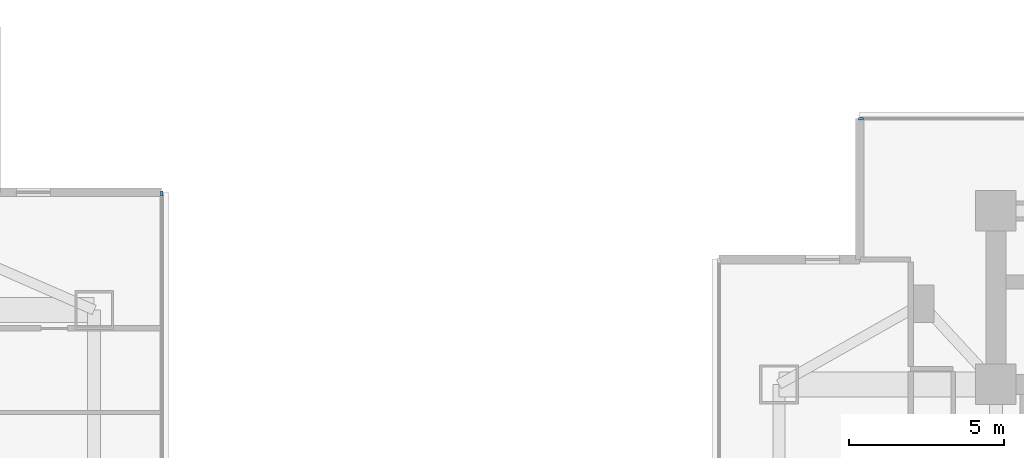
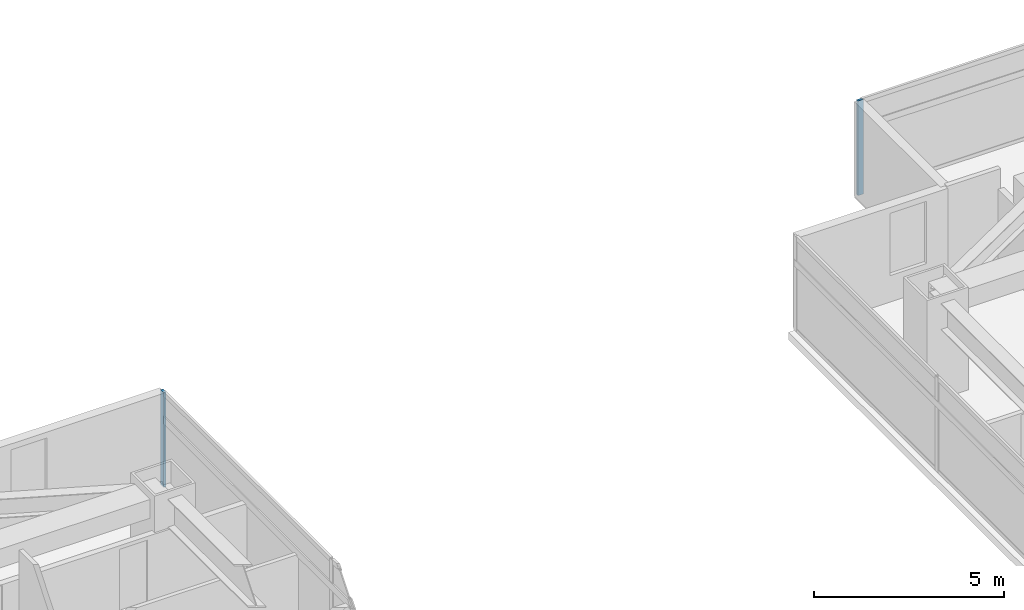
# One storey, part 9 of 27: 2 members, 2 elements without a shape of their own.
"""IFC4 building model written with IfcOpenShell, lengths in metres."""

from ifc_helpers import new_model, si_unit, direction, frame, origin, origin_2d, place, context, subcontext, project, spatial, rectangle, extrude, material, material_profile, profile_set, type_object, element, aggregate, save


model = new_model("IFC4")

# Units and contexts
model_context = context("Model", 3, precision=1e-05, world=origin(), true_north=direction((0.0, 1.0)))
body_context = subcontext(model_context, "Body", "Model", "MODEL_VIEW")
ifc_project = project(units=[si_unit("LENGTHUNIT", "METRE"), si_unit("AREAUNIT", "SQUARE_METRE"), si_unit("VOLUMEUNIT", "CUBIC_METRE"), si_unit("PLANEANGLEUNIT", "RADIAN"), si_unit("MASSUNIT", "GRAM", prefix="KILO")], contexts=[model_context])

# Site, building, storey
site_placement = place(None, origin())
site = spatial("IfcSite", under=ifc_project, at=site_placement, CompositionType="ELEMENT")
building_placement = place(site_placement, origin())
building = spatial("IfcBuilding", under=site, at=building_placement, Name="Mirazonda Arch Towers", CompositionType="ELEMENT")
storey_placement = place(building_placement, frame((0.0, 0.0, 52.10009765625)))
storey = spatial("IfcBuildingStorey", under=building, at=storey_placement, Name="L14", CompositionType="ELEMENT", Elevation=52.10009765625)

# Curtain wall, member
ifc_material_1 = material(Name="Anodised Aluminium and Low-E Glass", Category="aluminium")
curtain_wall_type = type_object("IfcCurtainWallType", Name="CW-HTL-UNIT", PredefinedType="NOTDEFINED", material=ifc_material_1)
curtain_wall_1_placement = place(storey_placement, origin())
curtain_wall_1 = element("IfcCurtainWall", 1, at=curtain_wall_1_placement, inside=storey, type_object=curtain_wall_type, Name="L14 T1 E Facade CW-L14-T1-E", PredefinedType="NOTDEFINED")
ifc_material_2 = material(Name="Anodised Aluminium Alloy", Category="aluminium")
ifc_material_profile = material_profile(ifc_material_2, rectangle(XDim=0.074951171875, YDim=0.1650390625, at=origin_2d()), Name="ALU-MULL-75x165")
ifc_profile_set = profile_set([ifc_material_profile], Name="Anodised Aluminium Alloy")
member_type = type_object("IfcMemberType", Name="MULL-CW-HTL-UNIT", PredefinedType="MULLION", material=ifc_profile_set)
member_1_placement = place(storey_placement, frame((41.080078125, 41.362548828125, 0.0), z_axis=(0.0, 0.0, 1.0), x_axis=(-1.0, 0.0, 0.0)))
member_1 = element("IfcMember", 2, at=member_1_placement, type_object=member_type, Name="CW-112 mullion 4", PredefinedType="MULLION", context=body_context, shape_type="SweptSolid", body=[
    extrude(rectangle(XDim=0.074951171875, YDim=0.1650390625, at=origin_2d()), origin(), (0.0, 0.0, 1.0), 3.039794921875),
])
aggregate(curtain_wall_1, [member_1])

curtain_wall_2_placement = place(storey_placement, origin())
curtain_wall_2 = element("IfcCurtainWall", 3, at=curtain_wall_2_placement, inside=storey, type_object=curtain_wall_type, Name="L14 T2 N Facade CW-L14-T2-N", PredefinedType="NOTDEFINED")
member_2_placement = place(storey_placement, frame((63.6435546875, 43.77587890625, 0.0), z_axis=(0.0, 0.0, 1.0), x_axis=(0.0, 1.0, 0.0)))
member_2 = element("IfcMember", 4, at=member_2_placement, type_object=member_type, Name="CW-112 mullion 1", PredefinedType="MULLION", context=body_context, shape_type="SweptSolid", body=[
    extrude(rectangle(XDim=0.074951171875, YDim=0.1650390625, at=origin_2d()), origin(), (0.0, 0.0, 1.0), 3.039794921875),
])
aggregate(curtain_wall_2, [member_2])

save(model, "model.ifc")
